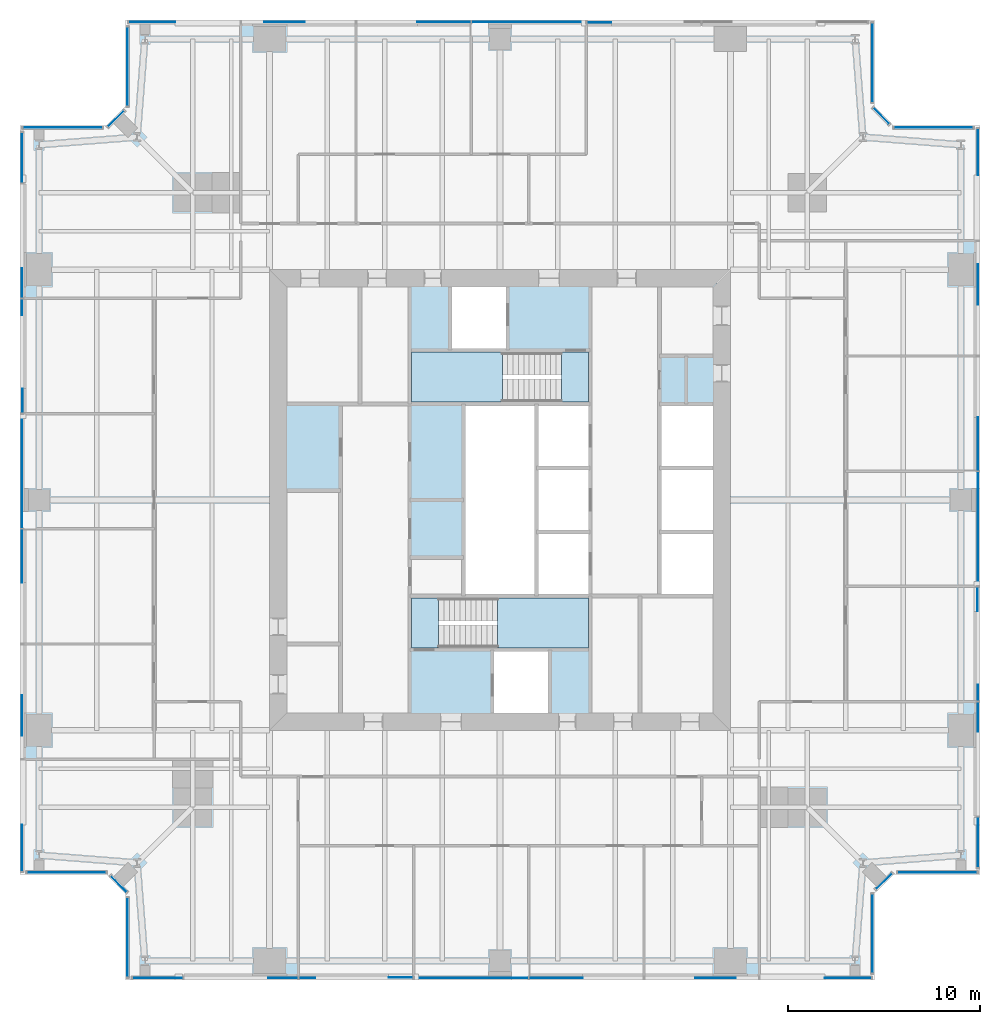
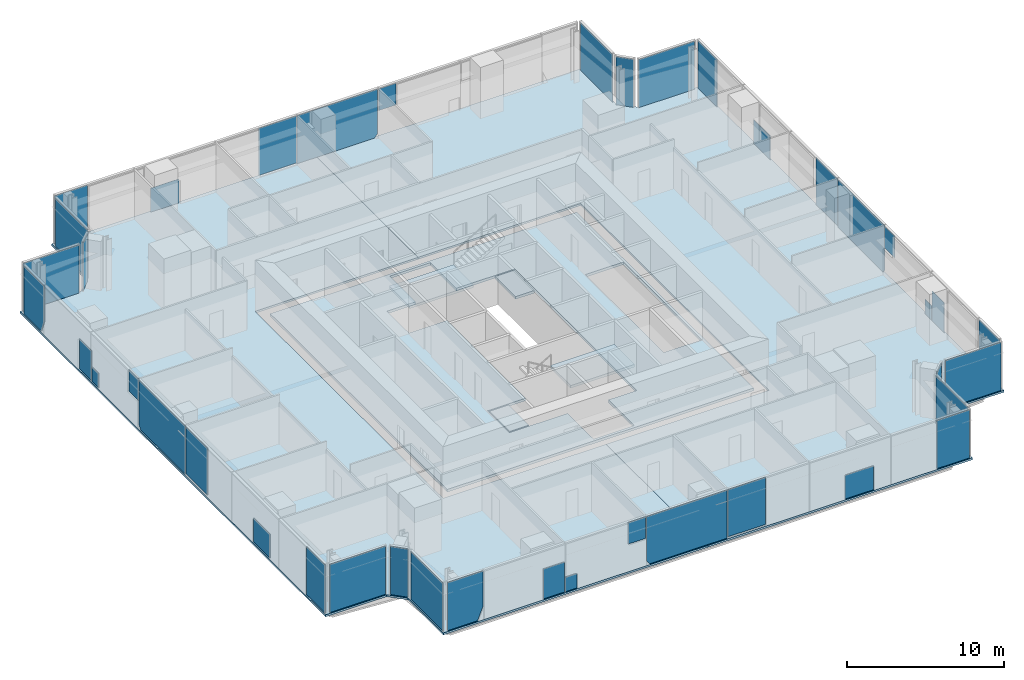
# One storey, part 8 of 14: 41 plates, 7 slabs, 18 elements without a shape of their own.
"""IFC4 building model written with IfcOpenShell, lengths in metres."""

from ifc_helpers import new_model, si_unit, direction, frame, origin, origin_2d, place, context, subcontext, project, spatial, polyline, rectangle, outline, extrude, material, layer, layer_set, type_object, element, aggregate, save


model = new_model("IFC4")

# Units and contexts
model_context = context("Model", 3, precision=1e-05, world=origin(), true_north=direction((0.0, 1.0)))
body_context = subcontext(model_context, "Body", "Model", "MODEL_VIEW")
ifc_project = project(units=[si_unit("LENGTHUNIT", "METRE"), si_unit("AREAUNIT", "SQUARE_METRE"), si_unit("VOLUMEUNIT", "CUBIC_METRE"), si_unit("PLANEANGLEUNIT", "RADIAN"), si_unit("MASSUNIT", "GRAM", prefix="KILO")], contexts=[model_context])

# Site, building, storey
site_placement = place(None, origin())
site = spatial("IfcSite", under=ifc_project, at=site_placement, CompositionType="ELEMENT")
building_placement = place(site_placement, origin())
building = spatial("IfcBuilding", under=site, at=building_placement, Name="Fenwick Lantern Interchange", CompositionType="ELEMENT")
storey_placement = place(building_placement, frame((0.0, 0.0, 225.800048828125)))
storey = spatial("IfcBuildingStorey", under=building, at=storey_placement, Name="L53", CompositionType="ELEMENT", Elevation=225.800048828125)

# Slabs
ifc_material_1 = material(Name="Concrete f'c 35 MPa", Category="concrete")
ifc_layer_1 = layer(ifc_material_1, 0.199951171875)
ifc_layer_set_1 = layer_set([ifc_layer_1], Name="CORE FLOOR SLAB 200")
slab_type_1 = type_object("IfcSlabType", Name="CORE FLOOR SLAB 200", PredefinedType="FLOOR", material=ifc_layer_set_1)
slab_1_placement = place(storey_placement, frame((0.0, 0.0, -0.199951171875)))
element("IfcSlab", 1, at=slab_1_placement, inside=storey, type_object=slab_type_1, Name="L53/SLAB/CORE", PredefinedType="FLOOR", context=body_context, shape_type="SweptSolid", body=[
    extrude(outline(polyline([(13.699951171875, 36.300048828125), (36.300048828125, 36.300048828125), (36.300048828125, 13.699951171875), (13.699951171875, 13.699951171875), (13.699951171875, 36.300048828125)]), holes=[polyline([(24.60009765625, 13.89990234375), (27.60009765625, 13.89990234375), (27.60009765625, 17.199951171875), (29.699951171875, 17.199951171875), (29.699951171875, 20.0), (29.699951171875, 23.333251953125), (29.699951171875, 26.666748046875), (29.699951171875, 30.0), (29.699951171875, 32.800048828125), (25.39990234375, 32.800048828125), (25.39990234375, 36.10009765625), (22.39990234375, 36.10009765625), (22.39990234375, 32.800048828125), (20.300048828125, 32.800048828125), (20.300048828125, 30.0), (23.10009765625, 30.0), (23.10009765625, 20.0), (20.300048828125, 20.0), (20.300048828125, 17.199951171875), (24.60009765625, 17.199951171875), (24.60009765625, 13.89990234375)]), polyline([(33.300048828125, 23.333251953125), (33.300048828125, 20.0), (36.10009765625, 20.0), (36.10009765625, 23.333251953125), (36.10009765625, 26.666748046875), (36.10009765625, 30.0), (33.300048828125, 30.0), (33.300048828125, 26.666748046875), (33.300048828125, 23.333251953125)])]), origin(), (0.0, 0.0, 1.0), 0.199951171875),
])
ifc_material_2 = material(Name="Concrete f'c 35 MPa", Category="concrete")
ifc_layer_2 = layer(ifc_material_2, 0.14990234375)
ifc_layer_set_2 = layer_set([ifc_layer_2], Name="Concrete f'c 35 MPa")
slab_type_2 = type_object("IfcSlabType", Name="FLOOR SLAB 150", PredefinedType="FLOOR", material=ifc_layer_set_2)
slab_2_placement = place(storey_placement, frame((0.0, 0.0, -0.150146484375)))
element("IfcSlab", 2, at=slab_2_placement, inside=storey, type_object=slab_type_2, Name="L53/SLAB/FW", PredefinedType="FLOOR", context=body_context, shape_type="SweptSolid", body=[
    extrude(outline(polyline([(5.5, 0.0), (5.5, 4.5), (4.5, 5.5), (0.0, 5.5), (0.0, 44.5), (4.5, 44.5), (5.5, 45.5), (5.5, 50.0), (25.0, 50.0), (25.0, 37.0), (13.0, 37.0), (13.0, 13.0), (25.0, 13.0), (25.0, 0.0), (5.5, 0.0)])), origin(), (0.0, 0.0, 1.0), 0.150146484375),
])
slab_3_placement = place(storey_placement, frame((0.0, 0.0, -0.150146484375)))
element("IfcSlab", 3, at=slab_3_placement, inside=storey, type_object=slab_type_2, Name="L53/SLAB/FE", PredefinedType="FLOOR", context=body_context, shape_type="SweptSolid", body=[
    extrude(outline(polyline([(44.5, 50.0), (44.5, 45.5), (45.5, 44.5), (50.0, 44.5), (50.0, 5.5), (45.5, 5.5), (44.5, 4.5), (44.5, 0.0), (25.0, 0.0), (25.0, 13.0), (37.0, 13.0), (37.0, 37.0), (25.0, 37.0), (25.0, 50.0), (44.5, 50.0)])), origin(), (0.0, 0.0, 1.0), 0.150146484375),
])

# Curtain wall, plates
ifc_material_3 = material(Name="Aluminium curtain wall frame", Category="aluminium")
curtain_wall_type = type_object("IfcCurtainWallType", Name="OFFICE CURTAIN WALL", PredefinedType="USERDEFINED", material=ifc_material_3)
curtain_wall_1_placement = place(storey_placement, origin())
curtain_wall_1 = element("IfcCurtainWall", 4, at=curtain_wall_1_placement, inside=storey, type_object=curtain_wall_type, Name="Office curtain wall 01", ObjectType="OFFICE CURTAIN WALL", PredefinedType="USERDEFINED")
ifc_material_4 = material(Name="Vision glass, clear low-iron double glazed", Category="glass")
ifc_layer_3 = layer(ifc_material_4, 0.031982421875)
ifc_layer_set_3 = layer_set([ifc_layer_3], Name="OFFICE CURTAIN WALL PANEL 32")
plate_type = type_object("IfcPlateType", Name="OFFICE CURTAIN WALL PANEL 32", PredefinedType="CURTAIN_PANEL", material=ifc_layer_set_3)
plate_1_placement = place(storey_placement, frame((5.60009765625, 0.10009765625, 0.0), z_axis=(0.0, 0.0, 1.0), x_axis=(1.0, 0.0, 0.0)))
plate_1 = element("IfcPlate", 5, at=plate_1_placement, type_object=plate_type, Name="L53/CW/01/P00a", PredefinedType="CURTAIN_PANEL", context=body_context, shape_type="SweptSolid", body=[
    extrude(outline(polyline([(0.264892578125, 0.0), (2.4765625, 0.0), (2.867431640625, 0.955078125), (2.867431640625, 3.75), (0.264892578125, 3.75), (0.264892578125, 0.0)])), frame((0.0, 0.01611328125, 0.0), z_axis=(0.0, -1.0, 0.0), x_axis=(1.0, 0.0, 0.0)), (0.0, 0.0, 1.0), 0.031982421875),
])
plate_2_placement = place(storey_placement, frame((5.60009765625, 0.10009765625, 0.0), z_axis=(0.0, 0.0, 1.0), x_axis=(1.0, 0.0, 0.0)))
plate_2 = element("IfcPlate", 6, at=plate_2_placement, type_object=plate_type, Name="L53/CW/01/P01a", PredefinedType="CURTAIN_PANEL", context=body_context, shape_type="SweptSolid", body=[
    extrude(outline(polyline([(7.326416015625, 0.0), (8.867431640625, 0.0), (8.867431640625, 2.345947265625), (7.326416015625, 2.345947265625), (7.326416015625, 0.0)])), frame((0.0, 0.01611328125, 0.0), z_axis=(0.0, -1.0, 0.0), x_axis=(1.0, 0.0, 0.0)), (0.0, 0.0, 1.0), 0.031982421875),
])
plate_3_placement = place(storey_placement, frame((5.60009765625, 0.10009765625, 0.0), z_axis=(0.0, 0.0, 1.0), x_axis=(1.0, 0.0, 0.0)))
plate_3 = element("IfcPlate", 7, at=plate_3_placement, type_object=plate_type, Name="L53/CW/01/P02a", PredefinedType="CURTAIN_PANEL", context=body_context, shape_type="SweptSolid", body=[
    extrude(outline(polyline([(8.9326171875, 0.0), (9.78759765625, 0.0), (9.78759765625, 1.13232421875), (8.9326171875, 1.13232421875), (8.9326171875, 0.0)])), frame((0.0, 0.01611328125, 0.0), z_axis=(0.0, -1.0, 0.0), x_axis=(1.0, 0.0, 0.0)), (0.0, 0.0, 1.0), 0.031982421875),
])
plate_4_placement = place(storey_placement, frame((5.60009765625, 0.10009765625, 2.062255859375), z_axis=(0.0, 0.0, 1.0), x_axis=(1.0, 0.0, 0.0)))
plate_4 = element("IfcPlate", 8, at=plate_4_placement, type_object=plate_type, Name="L53/CW/01/P02b", PredefinedType="CURTAIN_PANEL", context=body_context, shape_type="SweptSolid", body=[
    extrude(outline(polyline([(13.5966796875, 0.0), (14.867431640625, 0.0), (14.867431640625, 1.687744140625), (13.5966796875, 1.687744140625), (13.5966796875, 0.0)])), frame((0.0, 0.0498046875, 0.0), z_axis=(0.0, -1.0, 0.0), x_axis=(1.0, 0.0, 0.0)), (0.0, 0.0, 1.0), 0.031982421875),
])
plate_5_placement = place(storey_placement, frame((5.60009765625, 0.10009765625, 0.0), z_axis=(0.0, 0.0, 1.0), x_axis=(1.0, 0.0, 0.0)))
plate_5 = element("IfcPlate", 9, at=plate_5_placement, type_object=plate_type, Name="L53/CW/01/P03a", PredefinedType="CURTAIN_PANEL", context=body_context, shape_type="SweptSolid", body=[
    extrude(outline(polyline([(15.154541015625, 0.0), (20.867431640625, 0.0), (20.867431640625, 3.75), (14.9326171875, 3.75), (14.9326171875, 0.2939453125), (15.154541015625, 0.0)])), frame((0.0, 0.01611328125, 0.0), z_axis=(0.0, -1.0, 0.0), x_axis=(1.0, 0.0, 0.0)), (0.0, 0.0, 1.0), 0.031982421875),
])
plate_6_placement = place(storey_placement, frame((5.60009765625, 0.10009765625, 0.082275390625), z_axis=(0.0, 0.0, 1.0), x_axis=(1.0, 0.0, 0.0)))
plate_6 = element("IfcPlate", 10, at=plate_6_placement, type_object=plate_type, Name="L53/CW/01/P04a", PredefinedType="CURTAIN_PANEL", context=body_context, shape_type="SweptSolid", body=[
    extrude(outline(polyline([(20.9326171875, 0.0), (23.70751953125, 0.0), (23.70751953125, 3.667724609375), (20.9326171875, 3.667724609375), (20.9326171875, 0.0)])), frame((0.0, 0.01611328125, 0.0), z_axis=(0.0, -1.0, 0.0), x_axis=(1.0, 0.0, 0.0)), (0.0, 0.0, 1.0), 0.031982421875),
])
plate_7_placement = place(storey_placement, frame((5.60009765625, 0.10009765625, 0.0), z_axis=(0.0, 0.0, 1.0), x_axis=(1.0, 0.0, 0.0)))
plate_7 = element("IfcPlate", 11, at=plate_7_placement, type_object=plate_type, Name="L53/CW/01/P05a", PredefinedType="CURTAIN_PANEL", context=body_context, shape_type="SweptSolid", body=[
    extrude(outline(polyline([(29.56201171875, 0.0), (31.672119140625, 0.0), (31.672119140625, 1.85986328125), (29.56201171875, 1.85986328125), (29.56201171875, 0.0)])), frame((0.0, 0.01611328125, 0.0), z_axis=(0.0, -1.0, 0.0), x_axis=(1.0, 0.0, 0.0)), (0.0, 0.0, 1.0), 0.031982421875),
])
plate_8_placement = place(storey_placement, frame((5.60009765625, 0.10009765625, 0.0), z_axis=(0.0, 0.0, 1.0), x_axis=(1.0, 0.0, 0.0)))
plate_8 = element("IfcPlate", 12, at=plate_8_placement, type_object=plate_type, Name="L53/CW/01/P06a", PredefinedType="CURTAIN_PANEL", context=body_context, shape_type="SweptSolid", body=[
    extrude(outline(polyline([(36.323974609375, 0.0), (38.735107421875, 0.0), (38.735107421875, 3.75), (36.323974609375, 3.75), (36.323974609375, 0.0)])), frame((0.0, 0.01611328125, 0.0), z_axis=(0.0, -1.0, 0.0), x_axis=(1.0, 0.0, 0.0)), (0.0, 0.0, 1.0), 0.031982421875),
])
aggregate(curtain_wall_1, [plate_1, plate_2, plate_3, plate_4, plate_5, plate_6, plate_7, plate_8])

# Curtain wall, plate
curtain_wall_2_placement = place(storey_placement, origin())
curtain_wall_2 = element("IfcCurtainWall", 13, at=curtain_wall_2_placement, inside=storey, type_object=curtain_wall_type, Name="Office curtain wall 02", ObjectType="OFFICE CURTAIN WALL", PredefinedType="USERDEFINED")
plate_9_placement = place(storey_placement, frame((44.39990234375, 2.420654296875, 0.0), z_axis=(0.0, 0.0, 1.0), x_axis=(0.0, 1.0, 0.0)))
plate_9 = element("IfcPlate", 14, at=plate_9_placement, type_object=plate_type, Name="L53/CW/02/P00", PredefinedType="CURTAIN_PANEL", context=body_context, shape_type="SweptSolid", body=[
    extrude(rectangle(XDim=4.111328125, YDim=0.031982421875, at=origin_2d()), origin(), (0.0, 0.0, 1.0), 3.75),
])
aggregate(curtain_wall_2, [plate_9])

curtain_wall_3_placement = place(storey_placement, origin())
curtain_wall_3 = element("IfcCurtainWall", 15, at=curtain_wall_3_placement, inside=storey, type_object=curtain_wall_type, Name="Office curtain wall 03", ObjectType="OFFICE CURTAIN WALL", PredefinedType="USERDEFINED")
plate_10_placement = place(storey_placement, frame((45.0, 5.141357421875, 0.0), z_axis=(0.0, 0.0, 1.0), x_axis=(0.707106781187, 0.707106781187, 0.0)))
plate_10 = element("IfcPlate", 16, at=plate_10_placement, type_object=plate_type, Name="L53/CW/03/P00", PredefinedType="CURTAIN_PANEL", context=body_context, shape_type="SweptSolid", body=[
    extrude(rectangle(XDim=1.1669921875, YDim=0.031982421875, at=origin_2d()), origin(), (0.0, 0.0, 1.0), 3.75),
])
aggregate(curtain_wall_3, [plate_10])

curtain_wall_4_placement = place(storey_placement, origin())
curtain_wall_4 = element("IfcCurtainWall", 17, at=curtain_wall_4_placement, inside=storey, type_object=curtain_wall_type, Name="Office curtain wall 04", ObjectType="OFFICE CURTAIN WALL", PredefinedType="USERDEFINED")
plate_11_placement = place(storey_placement, frame((47.779296875, 5.60009765625, 0.0), z_axis=(0.0, 0.0, 1.0), x_axis=(1.0, 0.0, 0.0)))
plate_11 = element("IfcPlate", 18, at=plate_11_placement, type_object=plate_type, Name="L53/CW/04/P00", PredefinedType="CURTAIN_PANEL", context=body_context, shape_type="SweptSolid", body=[
    extrude(rectangle(XDim=4.111328125, YDim=0.031982421875, at=origin_2d()), origin(), (0.0, 0.0, 1.0), 3.75),
])
aggregate(curtain_wall_4, [plate_11])

# Curtain wall, plates
curtain_wall_5_placement = place(storey_placement, origin())
curtain_wall_5 = element("IfcCurtainWall", 19, at=curtain_wall_5_placement, inside=storey, type_object=curtain_wall_type, Name="Office curtain wall 05", ObjectType="OFFICE CURTAIN WALL", PredefinedType="USERDEFINED")
plate_12_placement = place(storey_placement, frame((49.89990234375, 5.60009765625, 0.0), z_axis=(0.0, 0.0, 1.0), x_axis=(0.0, 1.0, 0.0)))
plate_12 = element("IfcPlate", 20, at=plate_12_placement, type_object=plate_type, Name="L53/CW/05/P00a", PredefinedType="CURTAIN_PANEL", context=body_context, shape_type="SweptSolid", body=[
    extrude(outline(polyline([(0.264892578125, 0.0), (2.4765625, 0.0), (2.867431640625, 0.955078125), (2.867431640625, 3.75), (0.264892578125, 3.75), (0.264892578125, 0.0)])), frame((0.0, 0.01611328125, 0.0), z_axis=(0.0, -1.0, 0.0), x_axis=(1.0, 0.0, 0.0)), (0.0, 0.0, 1.0), 0.031982421875),
])
plate_13_placement = place(storey_placement, frame((49.89990234375, 5.60009765625, 0.0), z_axis=(0.0, 0.0, 1.0), x_axis=(0.0, 1.0, 0.0)))
plate_13 = element("IfcPlate", 21, at=plate_13_placement, type_object=plate_type, Name="L53/CW/05/P01a", PredefinedType="CURTAIN_PANEL", context=body_context, shape_type="SweptSolid", body=[
    extrude(outline(polyline([(7.326416015625, 0.0), (8.867431640625, 0.0), (8.867431640625, 2.345947265625), (7.326416015625, 2.345947265625), (7.326416015625, 0.0)])), frame((0.0, 0.01611328125, 0.0), z_axis=(0.0, -1.0, 0.0), x_axis=(1.0, 0.0, 0.0)), (0.0, 0.0, 1.0), 0.031982421875),
])
plate_14_placement = place(storey_placement, frame((49.89990234375, 5.60009765625, 0.0), z_axis=(0.0, 0.0, 1.0), x_axis=(0.0, 1.0, 0.0)))
plate_14 = element("IfcPlate", 22, at=plate_14_placement, type_object=plate_type, Name="L53/CW/05/P02a", PredefinedType="CURTAIN_PANEL", context=body_context, shape_type="SweptSolid", body=[
    extrude(outline(polyline([(8.9326171875, 0.0), (9.78759765625, 0.0), (9.78759765625, 1.13232421875), (8.9326171875, 1.13232421875), (8.9326171875, 0.0)])), frame((0.0, 0.01611328125, 0.0), z_axis=(0.0, -1.0, 0.0), x_axis=(1.0, 0.0, 0.0)), (0.0, 0.0, 1.0), 0.031982421875),
])
plate_15_placement = place(storey_placement, frame((49.89990234375, 5.60009765625, 2.062255859375), z_axis=(0.0, 0.0, 1.0), x_axis=(0.0, 1.0, 0.0)))
plate_15 = element("IfcPlate", 23, at=plate_15_placement, type_object=plate_type, Name="L53/CW/05/P02b", PredefinedType="CURTAIN_PANEL", context=body_context, shape_type="SweptSolid", body=[
    extrude(outline(polyline([(13.5966796875, 0.0), (14.867431640625, 0.0), (14.867431640625, 1.687744140625), (13.5966796875, 1.687744140625), (13.5966796875, 0.0)])), frame((0.0, 0.0498046875, 0.0), z_axis=(0.0, -1.0, 0.0), x_axis=(1.0, 0.0, 0.0)), (0.0, 0.0, 1.0), 0.031982421875),
])
plate_16_placement = place(storey_placement, frame((49.89990234375, 5.60009765625, 0.0), z_axis=(0.0, 0.0, 1.0), x_axis=(0.0, 1.0, 0.0)))
plate_16 = element("IfcPlate", 24, at=plate_16_placement, type_object=plate_type, Name="L53/CW/05/P03a", PredefinedType="CURTAIN_PANEL", context=body_context, shape_type="SweptSolid", body=[
    extrude(outline(polyline([(15.154541015625, 0.0), (20.867431640625, 0.0), (20.867431640625, 3.75), (14.9326171875, 3.75), (14.9326171875, 0.2939453125), (15.154541015625, 0.0)])), frame((0.0, 0.01611328125, 0.0), z_axis=(0.0, -1.0, 0.0), x_axis=(1.0, 0.0, 0.0)), (0.0, 0.0, 1.0), 0.031982421875),
])
plate_17_placement = place(storey_placement, frame((49.89990234375, 5.60009765625, 0.082275390625), z_axis=(0.0, 0.0, 1.0), x_axis=(0.0, 1.0, 0.0)))
plate_17 = element("IfcPlate", 25, at=plate_17_placement, type_object=plate_type, Name="L53/CW/05/P04a", PredefinedType="CURTAIN_PANEL", context=body_context, shape_type="SweptSolid", body=[
    extrude(outline(polyline([(20.9326171875, 0.0), (23.70751953125, 0.0), (23.70751953125, 3.667724609375), (20.9326171875, 3.667724609375), (20.9326171875, 0.0)])), frame((0.0, 0.01611328125, 0.0), z_axis=(0.0, -1.0, 0.0), x_axis=(1.0, 0.0, 0.0)), (0.0, 0.0, 1.0), 0.031982421875),
])
plate_18_placement = place(storey_placement, frame((49.89990234375, 5.60009765625, 0.0), z_axis=(0.0, 0.0, 1.0), x_axis=(0.0, 1.0, 0.0)))
plate_18 = element("IfcPlate", 26, at=plate_18_placement, type_object=plate_type, Name="L53/CW/05/P05a", PredefinedType="CURTAIN_PANEL", context=body_context, shape_type="SweptSolid", body=[
    extrude(outline(polyline([(29.56201171875, 0.0), (31.672119140625, 0.0), (31.672119140625, 1.85986328125), (29.56201171875, 1.85986328125), (29.56201171875, 0.0)])), frame((0.0, 0.01611328125, 0.0), z_axis=(0.0, -1.0, 0.0), x_axis=(1.0, 0.0, 0.0)), (0.0, 0.0, 1.0), 0.031982421875),
])
plate_19_placement = place(storey_placement, frame((49.89990234375, 5.60009765625, 0.0), z_axis=(0.0, 0.0, 1.0), x_axis=(0.0, 1.0, 0.0)))
plate_19 = element("IfcPlate", 27, at=plate_19_placement, type_object=plate_type, Name="L53/CW/05/P06a", PredefinedType="CURTAIN_PANEL", context=body_context, shape_type="SweptSolid", body=[
    extrude(outline(polyline([(36.323974609375, 0.0), (38.735107421875, 0.0), (38.735107421875, 3.75), (36.323974609375, 3.75), (36.323974609375, 0.0)])), frame((0.0, 0.01611328125, 0.0), z_axis=(0.0, -1.0, 0.0), x_axis=(1.0, 0.0, 0.0)), (0.0, 0.0, 1.0), 0.031982421875),
])
aggregate(curtain_wall_5, [plate_12, plate_13, plate_14, plate_15, plate_16, plate_17, plate_18, plate_19])

# Curtain wall, plate
curtain_wall_6_placement = place(storey_placement, origin())
curtain_wall_6 = element("IfcCurtainWall", 28, at=curtain_wall_6_placement, inside=storey, type_object=curtain_wall_type, Name="Office curtain wall 06", ObjectType="OFFICE CURTAIN WALL", PredefinedType="USERDEFINED")
plate_20_placement = place(storey_placement, frame((47.579345703125, 44.39990234375, 0.0), z_axis=(0.0, 0.0, 1.0), x_axis=(-1.0, 0.0, 0.0)))
plate_20 = element("IfcPlate", 29, at=plate_20_placement, type_object=plate_type, Name="L53/CW/06/P00", PredefinedType="CURTAIN_PANEL", context=body_context, shape_type="SweptSolid", body=[
    extrude(rectangle(XDim=4.111328125, YDim=0.031982421875, at=origin_2d()), origin(), (0.0, 0.0, 1.0), 3.75),
])
aggregate(curtain_wall_6, [plate_20])

curtain_wall_7_placement = place(storey_placement, origin())
curtain_wall_7 = element("IfcCurtainWall", 30, at=curtain_wall_7_placement, inside=storey, type_object=curtain_wall_type, Name="Office curtain wall 07", ObjectType="OFFICE CURTAIN WALL", PredefinedType="USERDEFINED")
plate_21_placement = place(storey_placement, frame((44.858642578125, 45.0, 0.0), z_axis=(0.0, 0.0, 1.0), x_axis=(-0.707106781187, 0.707106781187, 0.0)))
plate_21 = element("IfcPlate", 31, at=plate_21_placement, type_object=plate_type, Name="L53/CW/07/P00", PredefinedType="CURTAIN_PANEL", context=body_context, shape_type="SweptSolid", body=[
    extrude(rectangle(XDim=1.1669921875, YDim=0.031982421875, at=origin_2d()), origin(), (0.0, 0.0, 1.0), 3.75),
])
aggregate(curtain_wall_7, [plate_21])

curtain_wall_8_placement = place(storey_placement, origin())
curtain_wall_8 = element("IfcCurtainWall", 32, at=curtain_wall_8_placement, inside=storey, type_object=curtain_wall_type, Name="Office curtain wall 08", ObjectType="OFFICE CURTAIN WALL", PredefinedType="USERDEFINED")
plate_22_placement = place(storey_placement, frame((44.39990234375, 47.779296875, 0.0), z_axis=(0.0, 0.0, 1.0), x_axis=(0.0, 1.0, 0.0)))
plate_22 = element("IfcPlate", 33, at=plate_22_placement, type_object=plate_type, Name="L53/CW/08/P00", PredefinedType="CURTAIN_PANEL", context=body_context, shape_type="SweptSolid", body=[
    extrude(rectangle(XDim=4.111328125, YDim=0.031982421875, at=origin_2d()), origin(), (0.0, 0.0, 1.0), 3.75),
])
aggregate(curtain_wall_8, [plate_22])

# Curtain wall, plates
curtain_wall_9_placement = place(storey_placement, origin())
curtain_wall_9 = element("IfcCurtainWall", 34, at=curtain_wall_9_placement, inside=storey, type_object=curtain_wall_type, Name="Office curtain wall 09", ObjectType="OFFICE CURTAIN WALL", PredefinedType="USERDEFINED")
plate_23_placement = place(storey_placement, frame((44.39990234375, 49.89990234375, 2.062255859375), z_axis=(0.0, 0.0, 1.0), x_axis=(-1.0, 0.0, 0.0)))
plate_23 = element("IfcPlate", 35, at=plate_23_placement, type_object=plate_type, Name="L53/CW/09/P02b", PredefinedType="CURTAIN_PANEL", context=body_context, shape_type="SweptSolid", body=[
    extrude(outline(polyline([(13.5966796875, 0.0), (14.867431640625, 0.0), (14.867431640625, 1.687744140625), (13.5966796875, 1.687744140625), (13.5966796875, 0.0)])), frame((0.0, 0.0498046875, 0.0), z_axis=(0.0, -1.0, 0.0), x_axis=(1.0, 0.0, 0.0)), (0.0, 0.0, 1.0), 0.031982421875),
])
plate_24_placement = place(storey_placement, frame((44.39990234375, 49.89990234375, 0.0), z_axis=(0.0, 0.0, 1.0), x_axis=(-1.0, 0.0, 0.0)))
plate_24 = element("IfcPlate", 36, at=plate_24_placement, type_object=plate_type, Name="L53/CW/09/P03a", PredefinedType="CURTAIN_PANEL", context=body_context, shape_type="SweptSolid", body=[
    extrude(outline(polyline([(15.154541015625, 0.0), (20.867431640625, 0.0), (20.867431640625, 3.75), (14.9326171875, 3.75), (14.9326171875, 0.2939453125), (15.154541015625, 0.0)])), frame((0.0, 0.01611328125, 0.0), z_axis=(0.0, -1.0, 0.0), x_axis=(1.0, 0.0, 0.0)), (0.0, 0.0, 1.0), 0.031982421875),
])
plate_25_placement = place(storey_placement, frame((44.39990234375, 49.89990234375, 0.082275390625), z_axis=(0.0, 0.0, 1.0), x_axis=(-1.0, 0.0, 0.0)))
plate_25 = element("IfcPlate", 37, at=plate_25_placement, type_object=plate_type, Name="L53/CW/09/P04a", PredefinedType="CURTAIN_PANEL", context=body_context, shape_type="SweptSolid", body=[
    extrude(outline(polyline([(20.9326171875, 0.0), (23.70751953125, 0.0), (23.70751953125, 3.667724609375), (20.9326171875, 3.667724609375), (20.9326171875, 0.0)])), frame((0.0, 0.01611328125, 0.0), z_axis=(0.0, -1.0, 0.0), x_axis=(1.0, 0.0, 0.0)), (0.0, 0.0, 1.0), 0.031982421875),
])
plate_26_placement = place(storey_placement, frame((44.39990234375, 49.89990234375, 0.0), z_axis=(0.0, 0.0, 1.0), x_axis=(-1.0, 0.0, 0.0)))
plate_26 = element("IfcPlate", 38, at=plate_26_placement, type_object=plate_type, Name="L53/CW/09/P05a", PredefinedType="CURTAIN_PANEL", context=body_context, shape_type="SweptSolid", body=[
    extrude(outline(polyline([(29.56201171875, 0.0), (31.672119140625, 0.0), (31.672119140625, 1.85986328125), (29.56201171875, 1.85986328125), (29.56201171875, 0.0)])), frame((0.0, 0.01611328125, 0.0), z_axis=(0.0, -1.0, 0.0), x_axis=(1.0, 0.0, 0.0)), (0.0, 0.0, 1.0), 0.031982421875),
])
plate_27_placement = place(storey_placement, frame((44.39990234375, 49.89990234375, 0.0), z_axis=(0.0, 0.0, 1.0), x_axis=(-1.0, 0.0, 0.0)))
plate_27 = element("IfcPlate", 39, at=plate_27_placement, type_object=plate_type, Name="L53/CW/09/P06a", PredefinedType="CURTAIN_PANEL", context=body_context, shape_type="SweptSolid", body=[
    extrude(outline(polyline([(36.323974609375, 0.0), (38.735107421875, 0.0), (38.735107421875, 3.75), (36.323974609375, 3.75), (36.323974609375, 0.0)])), frame((0.0, 0.01611328125, 0.0), z_axis=(0.0, -1.0, 0.0), x_axis=(1.0, 0.0, 0.0)), (0.0, 0.0, 1.0), 0.031982421875),
])
aggregate(curtain_wall_9, [plate_23, plate_24, plate_25, plate_26, plate_27])

# Curtain wall, plate
curtain_wall_10_placement = place(storey_placement, origin())
curtain_wall_10 = element("IfcCurtainWall", 40, at=curtain_wall_10_placement, inside=storey, type_object=curtain_wall_type, Name="Office curtain wall 10", ObjectType="OFFICE CURTAIN WALL", PredefinedType="USERDEFINED")
plate_28_placement = place(storey_placement, frame((5.60009765625, 47.579345703125, 0.0), z_axis=(0.0, 0.0, 1.0), x_axis=(0.0, -1.0, 0.0)))
plate_28 = element("IfcPlate", 41, at=plate_28_placement, type_object=plate_type, Name="L53/CW/10/P00", PredefinedType="CURTAIN_PANEL", context=body_context, shape_type="SweptSolid", body=[
    extrude(rectangle(XDim=4.111328125, YDim=0.031982421875, at=origin_2d()), origin(), (0.0, 0.0, 1.0), 3.75),
])
aggregate(curtain_wall_10, [plate_28])

curtain_wall_11_placement = place(storey_placement, origin())
curtain_wall_11 = element("IfcCurtainWall", 42, at=curtain_wall_11_placement, inside=storey, type_object=curtain_wall_type, Name="Office curtain wall 11", ObjectType="OFFICE CURTAIN WALL", PredefinedType="USERDEFINED")
plate_29_placement = place(storey_placement, frame((5.0, 44.858642578125, 0.0), z_axis=(0.0, 0.0, 1.0), x_axis=(-0.707106781187, -0.707106781187, 0.0)))
plate_29 = element("IfcPlate", 43, at=plate_29_placement, type_object=plate_type, Name="L53/CW/11/P00", PredefinedType="CURTAIN_PANEL", context=body_context, shape_type="SweptSolid", body=[
    extrude(rectangle(XDim=1.1669921875, YDim=0.031982421875, at=origin_2d()), origin(), (0.0, 0.0, 1.0), 3.75),
])
aggregate(curtain_wall_11, [plate_29])

curtain_wall_12_placement = place(storey_placement, origin())
curtain_wall_12 = element("IfcCurtainWall", 44, at=curtain_wall_12_placement, inside=storey, type_object=curtain_wall_type, Name="Office curtain wall 12", ObjectType="OFFICE CURTAIN WALL", PredefinedType="USERDEFINED")
plate_30_placement = place(storey_placement, frame((2.220703125, 44.39990234375, 0.0), z_axis=(0.0, 0.0, 1.0), x_axis=(-1.0, 0.0, 0.0)))
plate_30 = element("IfcPlate", 45, at=plate_30_placement, type_object=plate_type, Name="L53/CW/12/P00", PredefinedType="CURTAIN_PANEL", context=body_context, shape_type="SweptSolid", body=[
    extrude(rectangle(XDim=4.111328125, YDim=0.031982421875, at=origin_2d()), origin(), (0.0, 0.0, 1.0), 3.75),
])
aggregate(curtain_wall_12, [plate_30])

# Curtain wall, plates
curtain_wall_13_placement = place(storey_placement, origin())
curtain_wall_13 = element("IfcCurtainWall", 46, at=curtain_wall_13_placement, inside=storey, type_object=curtain_wall_type, Name="Office curtain wall 13", ObjectType="OFFICE CURTAIN WALL", PredefinedType="USERDEFINED")
plate_31_placement = place(storey_placement, frame((0.10009765625, 44.39990234375, 0.0), z_axis=(0.0, 0.0, 1.0), x_axis=(0.0, -1.0, 0.0)))
plate_31 = element("IfcPlate", 47, at=plate_31_placement, type_object=plate_type, Name="L53/CW/13/P00a", PredefinedType="CURTAIN_PANEL", context=body_context, shape_type="SweptSolid", body=[
    extrude(outline(polyline([(0.264892578125, 0.0), (2.4765625, 0.0), (2.867431640625, 0.955078125), (2.867431640625, 3.75), (0.264892578125, 3.75), (0.264892578125, 0.0)])), frame((0.0, 0.01611328125, 0.0), z_axis=(0.0, -1.0, 0.0), x_axis=(1.0, 0.0, 0.0)), (0.0, 0.0, 1.0), 0.031982421875),
])
plate_32_placement = place(storey_placement, frame((0.10009765625, 44.39990234375, 0.0), z_axis=(0.0, 0.0, 1.0), x_axis=(0.0, -1.0, 0.0)))
plate_32 = element("IfcPlate", 48, at=plate_32_placement, type_object=plate_type, Name="L53/CW/13/P01a", PredefinedType="CURTAIN_PANEL", context=body_context, shape_type="SweptSolid", body=[
    extrude(outline(polyline([(7.326416015625, 0.0), (8.867431640625, 0.0), (8.867431640625, 2.345947265625), (7.326416015625, 2.345947265625), (7.326416015625, 0.0)])), frame((0.0, 0.01611328125, 0.0), z_axis=(0.0, -1.0, 0.0), x_axis=(1.0, 0.0, 0.0)), (0.0, 0.0, 1.0), 0.031982421875),
])
plate_33_placement = place(storey_placement, frame((0.10009765625, 44.39990234375, 0.0), z_axis=(0.0, 0.0, 1.0), x_axis=(0.0, -1.0, 0.0)))
plate_33 = element("IfcPlate", 49, at=plate_33_placement, type_object=plate_type, Name="L53/CW/13/P02a", PredefinedType="CURTAIN_PANEL", context=body_context, shape_type="SweptSolid", body=[
    extrude(outline(polyline([(8.9326171875, 0.0), (9.78759765625, 0.0), (9.78759765625, 1.13232421875), (8.9326171875, 1.13232421875), (8.9326171875, 0.0)])), frame((0.0, 0.01611328125, 0.0), z_axis=(0.0, -1.0, 0.0), x_axis=(1.0, 0.0, 0.0)), (0.0, 0.0, 1.0), 0.031982421875),
])
plate_34_placement = place(storey_placement, frame((0.10009765625, 44.39990234375, 2.062255859375), z_axis=(0.0, 0.0, 1.0), x_axis=(0.0, -1.0, 0.0)))
plate_34 = element("IfcPlate", 50, at=plate_34_placement, type_object=plate_type, Name="L53/CW/13/P02b", PredefinedType="CURTAIN_PANEL", context=body_context, shape_type="SweptSolid", body=[
    extrude(outline(polyline([(13.5966796875, 0.0), (14.867431640625, 0.0), (14.867431640625, 1.687744140625), (13.5966796875, 1.687744140625), (13.5966796875, 0.0)])), frame((0.0, 0.0498046875, 0.0), z_axis=(0.0, -1.0, 0.0), x_axis=(1.0, 0.0, 0.0)), (0.0, 0.0, 1.0), 0.031982421875),
])
plate_35_placement = place(storey_placement, frame((0.10009765625, 44.39990234375, 0.0), z_axis=(0.0, 0.0, 1.0), x_axis=(0.0, -1.0, 0.0)))
plate_35 = element("IfcPlate", 51, at=plate_35_placement, type_object=plate_type, Name="L53/CW/13/P03a", PredefinedType="CURTAIN_PANEL", context=body_context, shape_type="SweptSolid", body=[
    extrude(outline(polyline([(15.154541015625, 0.0), (20.867431640625, 0.0), (20.867431640625, 3.75), (14.9326171875, 3.75), (14.9326171875, 0.2939453125), (15.154541015625, 0.0)])), frame((0.0, 0.01611328125, 0.0), z_axis=(0.0, -1.0, 0.0), x_axis=(1.0, 0.0, 0.0)), (0.0, 0.0, 1.0), 0.031982421875),
])
plate_36_placement = place(storey_placement, frame((0.10009765625, 44.39990234375, 0.082275390625), z_axis=(0.0, 0.0, 1.0), x_axis=(0.0, -1.0, 0.0)))
plate_36 = element("IfcPlate", 52, at=plate_36_placement, type_object=plate_type, Name="L53/CW/13/P04a", PredefinedType="CURTAIN_PANEL", context=body_context, shape_type="SweptSolid", body=[
    extrude(outline(polyline([(20.9326171875, 0.0), (23.70751953125, 0.0), (23.70751953125, 3.667724609375), (20.9326171875, 3.667724609375), (20.9326171875, 0.0)])), frame((0.0, 0.01611328125, 0.0), z_axis=(0.0, -1.0, 0.0), x_axis=(1.0, 0.0, 0.0)), (0.0, 0.0, 1.0), 0.031982421875),
])
plate_37_placement = place(storey_placement, frame((0.10009765625, 44.39990234375, 0.0), z_axis=(0.0, 0.0, 1.0), x_axis=(0.0, -1.0, 0.0)))
plate_37 = element("IfcPlate", 53, at=plate_37_placement, type_object=plate_type, Name="L53/CW/13/P05a", PredefinedType="CURTAIN_PANEL", context=body_context, shape_type="SweptSolid", body=[
    extrude(outline(polyline([(29.56201171875, 0.0), (31.672119140625, 0.0), (31.672119140625, 1.85986328125), (29.56201171875, 1.85986328125), (29.56201171875, 0.0)])), frame((0.0, 0.01611328125, 0.0), z_axis=(0.0, -1.0, 0.0), x_axis=(1.0, 0.0, 0.0)), (0.0, 0.0, 1.0), 0.031982421875),
])
plate_38_placement = place(storey_placement, frame((0.10009765625, 44.39990234375, 0.0), z_axis=(0.0, 0.0, 1.0), x_axis=(0.0, -1.0, 0.0)))
plate_38 = element("IfcPlate", 54, at=plate_38_placement, type_object=plate_type, Name="L53/CW/13/P06a", PredefinedType="CURTAIN_PANEL", context=body_context, shape_type="SweptSolid", body=[
    extrude(outline(polyline([(36.323974609375, 0.0), (38.735107421875, 0.0), (38.735107421875, 3.75), (36.323974609375, 3.75), (36.323974609375, 0.0)])), frame((0.0, 0.01611328125, 0.0), z_axis=(0.0, -1.0, 0.0), x_axis=(1.0, 0.0, 0.0)), (0.0, 0.0, 1.0), 0.031982421875),
])
aggregate(curtain_wall_13, [plate_31, plate_32, plate_33, plate_34, plate_35, plate_36, plate_37, plate_38])

# Curtain wall, plate
curtain_wall_14_placement = place(storey_placement, origin())
curtain_wall_14 = element("IfcCurtainWall", 55, at=curtain_wall_14_placement, inside=storey, type_object=curtain_wall_type, Name="Office curtain wall 14", ObjectType="OFFICE CURTAIN WALL", PredefinedType="USERDEFINED")
plate_39_placement = place(storey_placement, frame((2.420654296875, 5.60009765625, 0.0), z_axis=(0.0, 0.0, 1.0), x_axis=(1.0, 0.0, 0.0)))
plate_39 = element("IfcPlate", 56, at=plate_39_placement, type_object=plate_type, Name="L53/CW/14/P00", PredefinedType="CURTAIN_PANEL", context=body_context, shape_type="SweptSolid", body=[
    extrude(rectangle(XDim=4.111328125, YDim=0.031982421875, at=origin_2d()), origin(), (0.0, 0.0, 1.0), 3.75),
])
aggregate(curtain_wall_14, [plate_39])

curtain_wall_15_placement = place(storey_placement, origin())
curtain_wall_15 = element("IfcCurtainWall", 57, at=curtain_wall_15_placement, inside=storey, type_object=curtain_wall_type, Name="Office curtain wall 15", ObjectType="OFFICE CURTAIN WALL", PredefinedType="USERDEFINED")
plate_40_placement = place(storey_placement, frame((5.141357421875, 5.0, 0.0), z_axis=(0.0, 0.0, 1.0), x_axis=(0.707106781187, -0.707106781187, 0.0)))
plate_40 = element("IfcPlate", 58, at=plate_40_placement, type_object=plate_type, Name="L53/CW/15/P00", PredefinedType="CURTAIN_PANEL", context=body_context, shape_type="SweptSolid", body=[
    extrude(rectangle(XDim=1.1669921875, YDim=0.031982421875, at=origin_2d()), origin(), (0.0, 0.0, 1.0), 3.75),
])
aggregate(curtain_wall_15, [plate_40])

curtain_wall_16_placement = place(storey_placement, origin())
curtain_wall_16 = element("IfcCurtainWall", 59, at=curtain_wall_16_placement, inside=storey, type_object=curtain_wall_type, Name="Office curtain wall 16", ObjectType="OFFICE CURTAIN WALL", PredefinedType="USERDEFINED")
plate_41_placement = place(storey_placement, frame((5.60009765625, 2.220703125, 0.0), z_axis=(0.0, 0.0, 1.0), x_axis=(0.0, -1.0, 0.0)))
plate_41 = element("IfcPlate", 60, at=plate_41_placement, type_object=plate_type, Name="L53/CW/16/P00", PredefinedType="CURTAIN_PANEL", context=body_context, shape_type="SweptSolid", body=[
    extrude(rectangle(XDim=4.111328125, YDim=0.031982421875, at=origin_2d()), origin(), (0.0, 0.0, 1.0), 3.75),
])
aggregate(curtain_wall_16, [plate_41])

# Stair, slabs
ifc_material_5 = material(Name="Precast concrete f'c 35 MPa", Category="concrete")
stair_type = type_object("IfcStairType", Name="EXIT STAIR 1200", PredefinedType="HALF_TURN_STAIR", material=ifc_material_5)
stair_1_placement = place(storey_placement, origin())
stair_1 = element("IfcStair", 61, at=stair_1_placement, inside=storey, type_object=stair_type, Name="Exit stair ST1", PredefinedType="HALF_TURN_STAIR")
ifc_layer_4 = layer(ifc_material_1, 0.199951171875)
ifc_layer_set_4 = layer_set([ifc_layer_4], Name="STAIR LANDING 200")
slab_type_3 = type_object("IfcSlabType", Name="STAIR LANDING 200", PredefinedType="LANDING", material=ifc_layer_set_4)
slab_4_placement = place(storey_placement, frame((0.0, 0.0, 1.800048828125)))
slab_4 = element("IfcSlab", 62, at=slab_4_placement, type_object=slab_type_3, Name="ST1 landing 1", PredefinedType="LANDING", context=body_context, shape_type="SweptSolid", body=[
    extrude(outline(polyline([(24.8798828125, 17.300048828125), (29.60009765625, 17.300048828125), (29.60009765625, 19.89990234375), (24.8798828125, 19.89990234375), (24.8798828125, 17.300048828125)])), origin(), (0.0, 0.0, 1.0), 0.199951171875),
])
slab_5_placement = place(storey_placement, frame((0.0, 0.0, -0.199951171875)))
slab_5 = element("IfcSlab", 63, at=slab_5_placement, type_object=slab_type_3, Name="ST1 landing 2", PredefinedType="LANDING", context=body_context, shape_type="SweptSolid", body=[
    extrude(outline(polyline([(20.39990234375, 17.300048828125), (21.800048828125, 17.300048828125), (21.800048828125, 19.89990234375), (20.39990234375, 19.89990234375), (20.39990234375, 17.300048828125)])), origin(), (0.0, 0.0, 1.0), 0.199951171875),
])
aggregate(stair_1, [slab_4, slab_5])

stair_2_placement = place(storey_placement, origin())
stair_2 = element("IfcStair", 64, at=stair_2_placement, inside=storey, type_object=stair_type, Name="Exit stair ST2", PredefinedType="HALF_TURN_STAIR")
slab_6_placement = place(storey_placement, frame((0.0, 0.0, 1.800048828125)))
slab_6 = element("IfcSlab", 65, at=slab_6_placement, type_object=slab_type_3, Name="ST2 landing 1", PredefinedType="LANDING", context=body_context, shape_type="SweptSolid", body=[
    extrude(outline(polyline([(25.1201171875, 32.699951171875), (20.39990234375, 32.699951171875), (20.39990234375, 30.10009765625), (25.1201171875, 30.10009765625), (25.1201171875, 32.699951171875)])), origin(), (0.0, 0.0, 1.0), 0.199951171875),
])
slab_7_placement = place(storey_placement, frame((0.0, 0.0, -0.199951171875)))
slab_7 = element("IfcSlab", 66, at=slab_7_placement, type_object=slab_type_3, Name="ST2 landing 2", PredefinedType="LANDING", context=body_context, shape_type="SweptSolid", body=[
    extrude(outline(polyline([(29.60009765625, 32.699951171875), (28.199951171875, 32.699951171875), (28.199951171875, 30.10009765625), (29.60009765625, 30.10009765625), (29.60009765625, 32.699951171875)])), origin(), (0.0, 0.0, 1.0), 0.199951171875),
])
aggregate(stair_2, [slab_6, slab_7])

save(model, "model.ifc")
